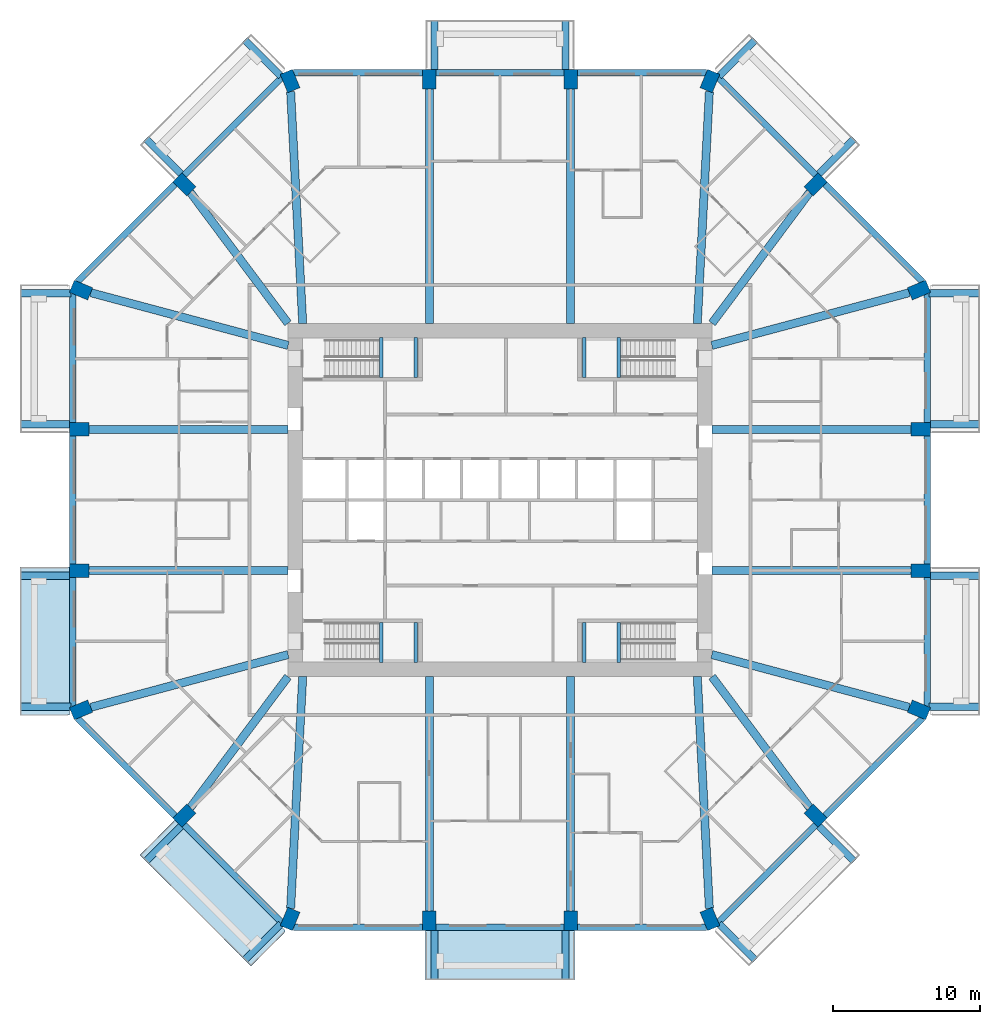
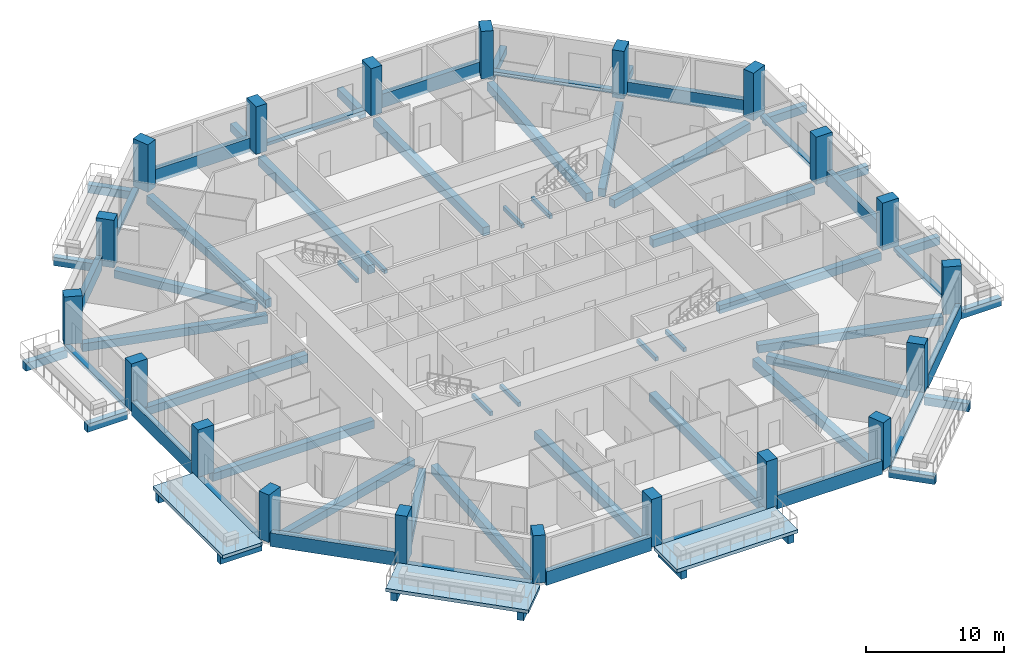
# One storey, part 1 of 13: 68 beams, 20 columns, 3 slabs.
"""IFC4 building model written with IfcOpenShell, lengths in metres."""

from ifc_helpers import new_model, si_unit, direction, frame, origin, origin_2d, place, context, subcontext, project, spatial, polyline, rectangle, outline, extrude, material, layer, layer_set, material_profile, profile_set, type_object, element, save


model = new_model("IFC4")

# Units and contexts
model_context = context("Model", 3, precision=1e-05, world=origin(), true_north=direction((0.0, 1.0)))
body_context = subcontext(model_context, "Body", "Model", "MODEL_VIEW")
ifc_project = project(units=[si_unit("LENGTHUNIT", "METRE"), si_unit("AREAUNIT", "SQUARE_METRE"), si_unit("VOLUMEUNIT", "CUBIC_METRE"), si_unit("PLANEANGLEUNIT", "RADIAN"), si_unit("MASSUNIT", "GRAM", prefix="KILO")], contexts=[model_context])

# Site, building, storey
site_placement = place(None, origin())
site = spatial("IfcSite", under=ifc_project, at=site_placement, CompositionType="ELEMENT")
building_placement = place(site_placement, origin())
building = spatial("IfcBuilding", under=site, at=building_placement, Name="Msitu Wima Residences", CompositionType="ELEMENT")
storey_placement = place(building_placement, frame((0.0, 0.0, 63.300048828125)))
storey = spatial("IfcBuildingStorey", under=building, at=storey_placement, Name="L14", CompositionType="ELEMENT", Elevation=63.300048828125)

# Columns
ifc_material_1 = material(Name="Concrete C80/95", Category="concrete")
ifc_material_profile_1 = material_profile(ifc_material_1, rectangle(XDim=0.89990234375, YDim=1.35009765625, at=origin_2d()), Name="RC 900x1350")
ifc_profile_set_1 = profile_set([ifc_material_profile_1], Name="Concrete C80/95")
column_type = type_object("IfcColumnType", Name="Column RC 900x1350 Concrete C80/95", PredefinedType="COLUMN", material=ifc_profile_set_1)
for number, where, z_axis, x_axis, name in (
    (1, (28.4541015625, -14.2568359375, 0.0), (0.0, 0.0, 1.0), (0.382683496864, 0.923879505795, 0.0), "Column L14 C-E0"),
    (2, (28.574951171875, -4.800048828125, 0.0), (0.0, 0.0, 1.0), (0.0, 1.0, 0.0), "Column L14 C-E1"),
    (3, (28.574951171875, 4.800048828125, 0.0), (0.0, 0.0, 1.0), (0.0, 1.0, 0.0), "Column L14 C-E2"),
    (4, (28.4541015625, 14.2568359375, 0.0), (0.0, 0.0, 1.0), (-0.382683496864, 0.923879505795, 0.0), "Column L14 C-NE0"),
    (5, (21.44091796875, 21.44091796875, 0.0), (0.0, 0.0, 1.0), (-0.707106781187, 0.707106781187, 0.0), "Column L14 C-NE1"),
    (6, (14.2568359375, 28.4541015625, 0.0), (0.0, 0.0, 1.0), (-0.923879505795, 0.382683496864, 0.0), "Column L14 C-N0"),
    (7, (4.800048828125, 28.574951171875, 0.0), (0.0, 0.0, 1.0), (-1.0, 0.0, 0.0), "Column L14 C-N1"),
    (8, (-4.800048828125, 28.574951171875, 0.0), (0.0, 0.0, 1.0), (-1.0, 0.0, 0.0), "Column L14 C-N2"),
    (9, (-14.2568359375, 28.4541015625, 0.0), (0.0, 0.0, 1.0), (-0.923879505795, -0.382683496864, 0.0), "Column L14 C-NW0"),
    (10, (-21.44091796875, 21.44091796875, 0.0), (0.0, 0.0, 1.0), (-0.707106781187, -0.707106781187, 0.0), "Column L14 C-NW1"),
    (11, (-28.4541015625, 14.2568359375, 0.0), (0.0, 0.0, 1.0), (-0.382683496864, -0.923879505795, 0.0), "Column L14 C-W0"),
    (12, (-28.574951171875, 4.800048828125, 0.0), (0.0, 0.0, 1.0), (0.0, -1.0, 0.0), "Column L14 C-W1"),
    (13, (-28.574951171875, -4.800048828125, 0.0), (0.0, 0.0, 1.0), (0.0, -1.0, 0.0), "Column L14 C-W2"),
    (14, (-28.4541015625, -14.2568359375, 0.0), (0.0, 0.0, 1.0), (0.382683496864, -0.923879505795, 0.0), "Column L14 C-SW0"),
    (15, (-21.44091796875, -21.44091796875, 0.0), (0.0, 0.0, 1.0), (0.707106781187, -0.707106781187, 0.0), "Column L14 C-SW1"),
    (16, (-14.2568359375, -28.4541015625, 0.0), (0.0, 0.0, 1.0), (0.923879505795, -0.382683496864, 0.0), "Column L14 C-S0"),
    (17, (-4.800048828125, -28.574951171875, 0.0), (0.0, 0.0, 1.0), (1.0, 0.0, 0.0), "Column L14 C-S1"),
    (18, (4.800048828125, -28.574951171875, 0.0), (0.0, 0.0, 1.0), (1.0, 0.0, 0.0), "Column L14 C-S2"),
    (19, (14.2568359375, -28.4541015625, 0.0), (0.0, 0.0, 1.0), (0.923879505795, 0.382683496864, 0.0), "Column L14 C-SE0"),
    (20, (21.44091796875, -21.44091796875, 0.0), (0.0, 0.0, 1.0), (0.707106781187, 0.707106781187, 0.0), "Column L14 C-SE1"),
):
    element("IfcColumn", number, at=place(storey_placement, frame(where, z_axis=z_axis, x_axis=x_axis)), inside=storey, type_object=column_type, Name=name, PredefinedType="COLUMN", context=body_context, shape_type="SweptSolid", body=[
        extrude(rectangle(XDim=0.89990234375, YDim=1.35009765625, at=origin_2d()), origin(), (0.0, 0.0, 1.0), 4.199951171875),
    ])

# Beams
ifc_material_2 = material(Name="Concrete C50/60", Category="concrete")
ifc_material_profile_2 = material_profile(ifc_material_2, rectangle(XDim=0.550048828125, YDim=0.699951171875, at=origin_2d()), Name="RC 550x700")
ifc_profile_set_2 = profile_set([ifc_material_profile_2], Name="Concrete C50/60")
beam_type_1 = type_object("IfcBeamType", Name="Beam RC 550x700 Concrete C50/60", PredefinedType="BEAM", material=ifc_profile_set_2)
beam_1_placement = place(storey_placement, frame((27.79638671875, -14.080810546875, -0.60009765625), z_axis=(-0.966081778408, 0.258236320891, 0.0), x_axis=(-0.258236320891, -0.966081778408, 0.0)))
element("IfcBeam", 21, at=beam_1_placement, inside=storey, type_object=beam_type_1, Name="Beam L14 C-E0", PredefinedType="BEAM", context=body_context, shape_type="SweptSolid", body=[
    extrude(rectangle(XDim=0.550048828125, YDim=0.699951171875, at=origin_2d()), origin(), (0.0, 0.0, 1.0), 13.878662109375),
])
for number, where, z_axis, x_axis, name in (
    (22, (27.89990234375, -4.800048828125, -0.60009765625), (-1.0, 0.0, 0.0), (0.0, -1.0, 0.0), "Beam L14 C-E1"),
    (23, (27.89990234375, 4.800048828125, -0.60009765625), (-1.0, 0.0, 0.0), (0.0, -1.0, 0.0), "Beam L14 C-E2"),
):
    element("IfcBeam", number, at=place(storey_placement, frame(where, z_axis=z_axis, x_axis=x_axis)), inside=storey, type_object=beam_type_1, Name=name, PredefinedType="BEAM", context=body_context, shape_type="SweptSolid", body=[
        extrude(rectangle(XDim=0.550048828125, YDim=0.699951171875, at=origin_2d()), origin(), (0.0, 0.0, 1.0), 13.5),
    ])
beam_2_placement = place(storey_placement, frame((27.79638671875, 14.080810546875, -0.60009765625), z_axis=(-0.966081778408, -0.258236320891, 0.0), x_axis=(0.258236320891, -0.966081778408, 0.0)))
element("IfcBeam", 24, at=beam_2_placement, inside=storey, type_object=beam_type_1, Name="Beam L14 C-NE0", PredefinedType="BEAM", context=body_context, shape_type="SweptSolid", body=[
    extrude(rectangle(XDim=0.550048828125, YDim=0.699951171875, at=origin_2d()), origin(), (0.0, 0.0, 1.0), 13.878662109375),
])
for number, where, z_axis, x_axis, name in (
    (25, (21.033203125, 20.89404296875, -0.60009765625), (-0.597850242031, -0.801607814398, 0.0), (0.801607814398, -0.597850242031, 0.0), "Beam L14 C-NE1"),
    (26, (-21.033203125, 20.89404296875, -0.60009765625), (0.597850242031, -0.801607814398, 0.0), (0.801607814398, 0.597850242031, 0.0), "Beam L14 C-NW1"),
):
    element("IfcBeam", number, at=place(storey_placement, frame(where, z_axis=z_axis, x_axis=x_axis)), inside=storey, type_object=beam_type_1, Name=name, PredefinedType="BEAM", context=body_context, shape_type="SweptSolid", body=[
        extrude(rectangle(XDim=0.550048828125, YDim=0.699951171875, at=origin_2d()), origin(), (0.0, 0.0, 1.0), 11.09521484375),
    ])
beam_3_placement = place(storey_placement, frame((-27.79638671875, 14.080810546875, -0.60009765625), z_axis=(0.966081778408, -0.258236320891, 0.0), x_axis=(0.258236320891, 0.966081778408, 0.0)))
element("IfcBeam", 27, at=beam_3_placement, inside=storey, type_object=beam_type_1, Name="Beam L14 C-W0", PredefinedType="BEAM", context=body_context, shape_type="SweptSolid", body=[
    extrude(rectangle(XDim=0.550048828125, YDim=0.699951171875, at=origin_2d()), origin(), (0.0, 0.0, 1.0), 13.878662109375),
])
for number, where, z_axis, x_axis, name in (
    (28, (-27.89990234375, 4.800048828125, -0.60009765625), (1.0, 0.0, 0.0), (0.0, 1.0, 0.0), "Beam L14 C-W1"),
    (29, (-27.89990234375, -4.800048828125, -0.60009765625), (1.0, 0.0, 0.0), (0.0, 1.0, 0.0), "Beam L14 C-W2"),
):
    element("IfcBeam", number, at=place(storey_placement, frame(where, z_axis=z_axis, x_axis=x_axis)), inside=storey, type_object=beam_type_1, Name=name, PredefinedType="BEAM", context=body_context, shape_type="SweptSolid", body=[
        extrude(rectangle(XDim=0.550048828125, YDim=0.699951171875, at=origin_2d()), origin(), (0.0, 0.0, 1.0), 13.5),
    ])
beam_4_placement = place(storey_placement, frame((-27.79638671875, -14.080810546875, -0.60009765625), z_axis=(0.966081778408, 0.258236320891, 0.0), x_axis=(-0.258236320891, 0.966081778408, 0.0)))
element("IfcBeam", 30, at=beam_4_placement, inside=storey, type_object=beam_type_1, Name="Beam L14 C-SW0", PredefinedType="BEAM", context=body_context, shape_type="SweptSolid", body=[
    extrude(rectangle(XDim=0.550048828125, YDim=0.699951171875, at=origin_2d()), origin(), (0.0, 0.0, 1.0), 13.878662109375),
])
for number, where, z_axis, x_axis, name in (
    (31, (-21.033203125, -20.89404296875, -0.60009765625), (0.597850242031, 0.801607814398, 0.0), (-0.801607814398, 0.597850242031, 0.0), "Beam L14 C-SW1"),
    (32, (21.033203125, -20.89404296875, -0.60009765625), (-0.597850242031, 0.801607814398, 0.0), (-0.801607814398, -0.597850242031, 0.0), "Beam L14 C-SE1"),
):
    element("IfcBeam", number, at=place(storey_placement, frame(where, z_axis=z_axis, x_axis=x_axis)), inside=storey, type_object=beam_type_1, Name=name, PredefinedType="BEAM", context=body_context, shape_type="SweptSolid", body=[
        extrude(rectangle(XDim=0.550048828125, YDim=0.699951171875, at=origin_2d()), origin(), (0.0, 0.0, 1.0), 11.09521484375),
    ])
ifc_material_profile_3 = material_profile(ifc_material_2, rectangle(XDim=0.550048828125, YDim=0.75, at=origin_2d()), Name="RC 550x750")
ifc_profile_set_3 = profile_set([ifc_material_profile_3], Name="Concrete C50/60")
beam_type_2 = type_object("IfcBeamType", Name="Beam RC 550x750 Concrete C50/60", PredefinedType="BEAM", material=ifc_profile_set_3)
beam_5_placement = place(storey_placement, frame((14.219482421875, 27.739013671875, -0.625), z_axis=(-0.05199418091, -0.998647387796, 0.0), x_axis=(0.998647387796, -0.05199418091, 0.0)))
element("IfcBeam", 33, at=beam_5_placement, inside=storey, type_object=beam_type_2, Name="Beam L14 C-N0", PredefinedType="BEAM", context=body_context, shape_type="SweptSolid", body=[
    extrude(rectangle(XDim=0.550048828125, YDim=0.75, at=origin_2d()), origin(), (0.0, 0.0, 1.0), 15.772216796875),
])
for number, where, z_axis, x_axis, name in (
    (34, (4.800048828125, 27.89990234375, -0.625), (0.0, -1.0, 0.0), (1.0, 0.0, 0.0), "Beam L14 C-N1"),
    (35, (-4.800048828125, 27.89990234375, -0.625), (0.0, -1.0, 0.0), (1.0, 0.0, 0.0), "Beam L14 C-N2"),
):
    element("IfcBeam", number, at=place(storey_placement, frame(where, z_axis=z_axis, x_axis=x_axis)), inside=storey, type_object=beam_type_2, Name=name, PredefinedType="BEAM", context=body_context, shape_type="SweptSolid", body=[
        extrude(rectangle(XDim=0.550048828125, YDim=0.75, at=origin_2d()), origin(), (0.0, 0.0, 1.0), 15.89990234375),
    ])
for number, where, z_axis, x_axis, name in (
    (36, (-14.219482421875, 27.739013671875, -0.625), (0.05199418091, -0.998647387796, 0.0), (0.998647387796, 0.05199418091, 0.0), "Beam L14 C-NW0"),
    (37, (-14.219482421875, -27.739013671875, -0.625), (0.05199418091, 0.998647387796, 0.0), (-0.998647387796, 0.05199418091, 0.0), "Beam L14 C-S0"),
):
    element("IfcBeam", number, at=place(storey_placement, frame(where, z_axis=z_axis, x_axis=x_axis)), inside=storey, type_object=beam_type_2, Name=name, PredefinedType="BEAM", context=body_context, shape_type="SweptSolid", body=[
        extrude(rectangle(XDim=0.550048828125, YDim=0.75, at=origin_2d()), origin(), (0.0, 0.0, 1.0), 15.772216796875),
    ])
for number, where, z_axis, x_axis, name in (
    (38, (-4.800048828125, -27.89990234375, -0.625), (0.0, 1.0, 0.0), (-1.0, 0.0, 0.0), "Beam L14 C-S1"),
    (39, (4.800048828125, -27.89990234375, -0.625), (0.0, 1.0, 0.0), (-1.0, 0.0, 0.0), "Beam L14 C-S2"),
):
    element("IfcBeam", number, at=place(storey_placement, frame(where, z_axis=z_axis, x_axis=x_axis)), inside=storey, type_object=beam_type_2, Name=name, PredefinedType="BEAM", context=body_context, shape_type="SweptSolid", body=[
        extrude(rectangle(XDim=0.550048828125, YDim=0.75, at=origin_2d()), origin(), (0.0, 0.0, 1.0), 15.89990234375),
    ])
beam_6_placement = place(storey_placement, frame((14.219482421875, -27.739013671875, -0.625), z_axis=(-0.05199418091, 0.998647387796, 0.0), x_axis=(-0.998647387796, -0.05199418091, 0.0)))
element("IfcBeam", 40, at=beam_6_placement, inside=storey, type_object=beam_type_2, Name="Beam L14 C-SE0", PredefinedType="BEAM", context=body_context, shape_type="SweptSolid", body=[
    extrude(rectangle(XDim=0.550048828125, YDim=0.75, at=origin_2d()), origin(), (0.0, 0.0, 1.0), 15.772216796875),
])
ifc_material_profile_4 = material_profile(ifc_material_2, rectangle(XDim=0.5, YDim=0.699951171875, at=origin_2d()), Name="RC 500x700")
ifc_profile_set_4 = profile_set([ifc_material_profile_4], Name="Concrete C50/60")
beam_type_3 = type_object("IfcBeamType", Name="Cantilever beam RC 500x700 Concrete C50/60", PredefinedType="BEAM", material=ifc_profile_set_4)
beam_7_placement = place(storey_placement, frame((29.130859375, -14.050048828125, -0.650146484375), z_axis=(1.0, 0.0, 0.0), x_axis=(0.0, 1.0, 0.0)))
element("IfcBeam", 41, at=beam_7_placement, inside=storey, type_object=beam_type_3, Name="Cantilever beam L14 BA-E0 A", PredefinedType="BEAM", context=body_context, shape_type="SweptSolid", body=[
    extrude(rectangle(XDim=0.5, YDim=0.699951171875, at=origin_2d()), origin(), (0.0, 0.0, 1.0), 3.46923828125),
])
for number, where, z_axis, x_axis, name in (
    (42, (29.25, -5.14990234375, -0.650146484375), (1.0, 0.0, 0.0), (0.0, 1.0, 0.0), "Cantilever beam L14 BA-E0 B"),
    (43, (29.25, 5.14990234375, -0.650146484375), (1.0, 0.0, 0.0), (0.0, 1.0, 0.0), "Cantilever beam L14 BA-E2 A"),
):
    element("IfcBeam", number, at=place(storey_placement, frame(where, z_axis=z_axis, x_axis=x_axis)), inside=storey, type_object=beam_type_3, Name=name, PredefinedType="BEAM", context=body_context, shape_type="SweptSolid", body=[
        extrude(rectangle(XDim=0.5, YDim=0.699951171875, at=origin_2d()), origin(), (0.0, 0.0, 1.0), 3.35009765625),
    ])
beam_8_placement = place(storey_placement, frame((29.130859375, 14.050048828125, -0.650146484375), z_axis=(1.0, 0.0, 0.0), x_axis=(0.0, 1.0, 0.0)))
element("IfcBeam", 44, at=beam_8_placement, inside=storey, type_object=beam_type_3, Name="Cantilever beam L14 BA-E2 B", PredefinedType="BEAM", context=body_context, shape_type="SweptSolid", body=[
    extrude(rectangle(XDim=0.5, YDim=0.699951171875, at=origin_2d()), origin(), (0.0, 0.0, 1.0), 3.46923828125),
])
beam_9_placement = place(storey_placement, frame((21.670654296875, 22.165771484375, -0.650146484375), z_axis=(0.707143219659, 0.707070340836, 0.0), x_axis=(-0.707070340836, 0.707143219659, 0.0)))
element("IfcBeam", 45, at=beam_9_placement, inside=storey, type_object=beam_type_3, Name="Cantilever beam L14 BA-NE1 A", PredefinedType="BEAM", context=body_context, shape_type="SweptSolid", body=[
    extrude(rectangle(XDim=0.5, YDim=0.699951171875, at=origin_2d()), origin(), (0.0, 0.0, 1.0), 3.349853515625),
])
beam_10_placement = place(storey_placement, frame((14.881591796875, 28.78662109375, -0.650146484375), z_axis=(0.707106781187, 0.707106781187, 0.0), x_axis=(-0.707106781187, 0.707106781187, 0.0)))
element("IfcBeam", 46, at=beam_10_placement, inside=storey, type_object=beam_type_3, Name="Cantilever beam L14 BA-NE1 B", PredefinedType="BEAM", context=body_context, shape_type="SweptSolid", body=[
    extrude(rectangle(XDim=0.5, YDim=0.699951171875, at=origin_2d()), origin(), (0.0, 0.0, 1.0), 3.468994140625),
])
for number, where, z_axis, x_axis, name in (
    (47, (4.449951171875, 29.25, -0.650146484375), (0.0, 1.0, 0.0), (-1.0, 0.0, 0.0), "Cantilever beam L14 BA-N1 A"),
    (48, (-4.449951171875, 29.25, -0.650146484375), (0.0, 1.0, 0.0), (-1.0, 0.0, 0.0), "Cantilever beam L14 BA-N1 B"),
):
    element("IfcBeam", number, at=place(storey_placement, frame(where, z_axis=z_axis, x_axis=x_axis)), inside=storey, type_object=beam_type_3, Name=name, PredefinedType="BEAM", context=body_context, shape_type="SweptSolid", body=[
        extrude(rectangle(XDim=0.5, YDim=0.699951171875, at=origin_2d()), origin(), (0.0, 0.0, 1.0), 3.35009765625),
    ])
beam_11_placement = place(storey_placement, frame((-14.881591796875, 28.78662109375, -0.650146484375), z_axis=(-0.707106781187, 0.707106781187, 0.0), x_axis=(-0.707106781187, -0.707106781187, 0.0)))
element("IfcBeam", 49, at=beam_11_placement, inside=storey, type_object=beam_type_3, Name="Cantilever beam L14 BA-NW0 A", PredefinedType="BEAM", context=body_context, shape_type="SweptSolid", body=[
    extrude(rectangle(XDim=0.5, YDim=0.699951171875, at=origin_2d()), origin(), (0.0, 0.0, 1.0), 3.468994140625),
])
beam_12_placement = place(storey_placement, frame((-21.670654296875, 22.165771484375, -0.650146484375), z_axis=(-0.707143219659, 0.707070340836, 0.0), x_axis=(-0.707070340836, -0.707143219659, 0.0)))
element("IfcBeam", 50, at=beam_12_placement, inside=storey, type_object=beam_type_3, Name="Cantilever beam L14 BA-NW0 B", PredefinedType="BEAM", context=body_context, shape_type="SweptSolid", body=[
    extrude(rectangle(XDim=0.5, YDim=0.699951171875, at=origin_2d()), origin(), (0.0, 0.0, 1.0), 3.349853515625),
])
beam_13_placement = place(storey_placement, frame((-29.130859375, 14.050048828125, -0.650146484375), z_axis=(-1.0, 0.0, 0.0), x_axis=(0.0, -1.0, 0.0)))
element("IfcBeam", 51, at=beam_13_placement, inside=storey, type_object=beam_type_3, Name="Cantilever beam L14 BA-W0 A", PredefinedType="BEAM", context=body_context, shape_type="SweptSolid", body=[
    extrude(rectangle(XDim=0.5, YDim=0.699951171875, at=origin_2d()), origin(), (0.0, 0.0, 1.0), 3.46923828125),
])
for number, where, z_axis, x_axis, name in (
    (52, (-29.25, 5.14990234375, -0.650146484375), (-1.0, 0.0, 0.0), (0.0, -1.0, 0.0), "Cantilever beam L14 BA-W0 B"),
    (53, (-29.25, -5.14990234375, -0.650146484375), (-1.0, 0.0, 0.0), (0.0, -1.0, 0.0), "Cantilever beam L14 BA-W2 A"),
):
    element("IfcBeam", number, at=place(storey_placement, frame(where, z_axis=z_axis, x_axis=x_axis)), inside=storey, type_object=beam_type_3, Name=name, PredefinedType="BEAM", context=body_context, shape_type="SweptSolid", body=[
        extrude(rectangle(XDim=0.5, YDim=0.699951171875, at=origin_2d()), origin(), (0.0, 0.0, 1.0), 3.35009765625),
    ])
beam_14_placement = place(storey_placement, frame((-29.130859375, -14.050048828125, -0.650146484375), z_axis=(-1.0, 0.0, 0.0), x_axis=(0.0, -1.0, 0.0)))
element("IfcBeam", 54, at=beam_14_placement, inside=storey, type_object=beam_type_3, Name="Cantilever beam L14 BA-W2 B", PredefinedType="BEAM", context=body_context, shape_type="SweptSolid", body=[
    extrude(rectangle(XDim=0.5, YDim=0.699951171875, at=origin_2d()), origin(), (0.0, 0.0, 1.0), 3.46923828125),
])
beam_15_placement = place(storey_placement, frame((-21.670654296875, -22.165771484375, -0.650146484375), z_axis=(-0.707143219659, -0.707070340836, 0.0), x_axis=(0.707070340836, -0.707143219659, 0.0)))
element("IfcBeam", 55, at=beam_15_placement, inside=storey, type_object=beam_type_3, Name="Cantilever beam L14 BA-SW1 A", PredefinedType="BEAM", context=body_context, shape_type="SweptSolid", body=[
    extrude(rectangle(XDim=0.5, YDim=0.699951171875, at=origin_2d()), origin(), (0.0, 0.0, 1.0), 3.349853515625),
])
beam_16_placement = place(storey_placement, frame((-14.881591796875, -28.78662109375, -0.650146484375), z_axis=(-0.707106781187, -0.707106781187, 0.0), x_axis=(0.707106781187, -0.707106781187, 0.0)))
element("IfcBeam", 56, at=beam_16_placement, inside=storey, type_object=beam_type_3, Name="Cantilever beam L14 BA-SW1 B", PredefinedType="BEAM", context=body_context, shape_type="SweptSolid", body=[
    extrude(rectangle(XDim=0.5, YDim=0.699951171875, at=origin_2d()), origin(), (0.0, 0.0, 1.0), 3.468994140625),
])
for number, where, z_axis, x_axis, name in (
    (57, (-4.449951171875, -29.25, -0.650146484375), (0.0, -1.0, 0.0), (1.0, 0.0, 0.0), "Cantilever beam L14 BA-S1 A"),
    (58, (4.449951171875, -29.25, -0.650146484375), (0.0, -1.0, 0.0), (1.0, 0.0, 0.0), "Cantilever beam L14 BA-S1 B"),
):
    element("IfcBeam", number, at=place(storey_placement, frame(where, z_axis=z_axis, x_axis=x_axis)), inside=storey, type_object=beam_type_3, Name=name, PredefinedType="BEAM", context=body_context, shape_type="SweptSolid", body=[
        extrude(rectangle(XDim=0.5, YDim=0.699951171875, at=origin_2d()), origin(), (0.0, 0.0, 1.0), 3.35009765625),
    ])
beam_17_placement = place(storey_placement, frame((14.881591796875, -28.78662109375, -0.650146484375), z_axis=(0.707106781187, -0.707106781187, 0.0), x_axis=(0.707106781187, 0.707106781187, 0.0)))
element("IfcBeam", 59, at=beam_17_placement, inside=storey, type_object=beam_type_3, Name="Cantilever beam L14 BA-SE0 A", PredefinedType="BEAM", context=body_context, shape_type="SweptSolid", body=[
    extrude(rectangle(XDim=0.5, YDim=0.699951171875, at=origin_2d()), origin(), (0.0, 0.0, 1.0), 3.468994140625),
])
beam_18_placement = place(storey_placement, frame((21.670654296875, -22.165771484375, -0.650146484375), z_axis=(0.707143219659, -0.707070340836, 0.0), x_axis=(0.707070340836, 0.707143219659, 0.0)))
element("IfcBeam", 60, at=beam_18_placement, inside=storey, type_object=beam_type_3, Name="Cantilever beam L14 BA-SE0 B", PredefinedType="BEAM", context=body_context, shape_type="SweptSolid", body=[
    extrude(rectangle(XDim=0.5, YDim=0.699951171875, at=origin_2d()), origin(), (0.0, 0.0, 1.0), 3.349853515625),
])
ifc_material_profile_5 = material_profile(ifc_material_2, rectangle(XDim=0.449951171875, YDim=0.300048828125, at=origin_2d()), Name="RC 450x300")
ifc_profile_set_5 = profile_set([ifc_material_profile_5], Name="Concrete C50/60")
beam_type_4 = type_object("IfcBeamType", Name="Edge beam RC 450x300 Concrete C50/60", PredefinedType="SPANDREL", material=ifc_profile_set_5)
for number, where, z_axis, x_axis, name in (
    (61, (29.02490234375, -14.01806640625, -0.150146484375), (0.0, 1.0, 0.0), (-1.0, 0.0, 0.0), "Spandrel L14 E0"),
    (62, (29.02490234375, 5.25, -0.150146484375), (0.0, 1.0, 0.0), (-1.0, 0.0, 0.0), "Spandrel L14 E2"),
):
    element("IfcBeam", number, at=place(storey_placement, frame(where, z_axis=z_axis, x_axis=x_axis)), inside=storey, type_object=beam_type_4, Name=name, PredefinedType="SPANDREL", context=body_context, shape_type="SweptSolid", body=[
        extrude(rectangle(XDim=0.449951171875, YDim=0.300048828125, at=origin_2d()), origin(), (0.0, 0.0, 1.0), 8.76806640625),
    ])
beam_19_placement = place(storey_placement, frame((21.44091796875, 22.077392578125, -0.150146484375), z_axis=(-0.707119836229, 0.707093725903, 0.0), x_axis=(-0.707093725903, -0.707119836229, 0.0)))
element("IfcBeam", 63, at=beam_19_placement, inside=storey, type_object=beam_type_4, Name="Spandrel L14 NE1", PredefinedType="SPANDREL", context=body_context, shape_type="SweptSolid", body=[
    extrude(rectangle(XDim=0.449951171875, YDim=0.300048828125, at=origin_2d()), origin(), (0.0, 0.0, 1.0), 9.350341796875),
])
beam_20_placement = place(storey_placement, frame((4.35009765625, 29.02490234375, -0.150146484375), z_axis=(-1.0, 0.0, 0.0), x_axis=(0.0, -1.0, 0.0)))
element("IfcBeam", 64, at=beam_20_placement, inside=storey, type_object=beam_type_4, Name="Spandrel L14 N1", PredefinedType="SPANDREL", context=body_context, shape_type="SweptSolid", body=[
    extrude(rectangle(XDim=0.449951171875, YDim=0.300048828125, at=origin_2d()), origin(), (0.0, 0.0, 1.0), 8.7001953125),
])
beam_21_placement = place(storey_placement, frame((-14.8291015625, 28.68896484375, -0.150146484375), z_axis=(-0.707119836229, -0.707093725903, 0.0), x_axis=(0.707093725903, -0.707119836229, 0.0)))
element("IfcBeam", 65, at=beam_21_placement, inside=storey, type_object=beam_type_4, Name="Spandrel L14 NW0", PredefinedType="SPANDREL", context=body_context, shape_type="SweptSolid", body=[
    extrude(rectangle(XDim=0.449951171875, YDim=0.300048828125, at=origin_2d()), origin(), (0.0, 0.0, 1.0), 9.350341796875),
])
for number, where, z_axis, x_axis, name in (
    (66, (-29.02490234375, 14.01806640625, -0.150146484375), (0.0, -1.0, 0.0), (1.0, 0.0, 0.0), "Spandrel L14 W0"),
    (67, (-29.02490234375, -5.25, -0.150146484375), (0.0, -1.0, 0.0), (1.0, 0.0, 0.0), "Spandrel L14 W2"),
):
    element("IfcBeam", number, at=place(storey_placement, frame(where, z_axis=z_axis, x_axis=x_axis)), inside=storey, type_object=beam_type_4, Name=name, PredefinedType="SPANDREL", context=body_context, shape_type="SweptSolid", body=[
        extrude(rectangle(XDim=0.449951171875, YDim=0.300048828125, at=origin_2d()), origin(), (0.0, 0.0, 1.0), 8.76806640625),
    ])
beam_22_placement = place(storey_placement, frame((-21.44091796875, -22.077392578125, -0.150146484375), z_axis=(0.707119836229, -0.707093725903, 0.0), x_axis=(0.707093725903, 0.707119836229, 0.0)))
element("IfcBeam", 68, at=beam_22_placement, inside=storey, type_object=beam_type_4, Name="Spandrel L14 SW1", PredefinedType="SPANDREL", context=body_context, shape_type="SweptSolid", body=[
    extrude(rectangle(XDim=0.449951171875, YDim=0.300048828125, at=origin_2d()), origin(), (0.0, 0.0, 1.0), 9.350341796875),
])
beam_23_placement = place(storey_placement, frame((-4.35009765625, -29.02490234375, -0.150146484375), z_axis=(1.0, 0.0, 0.0), x_axis=(0.0, 1.0, 0.0)))
element("IfcBeam", 69, at=beam_23_placement, inside=storey, type_object=beam_type_4, Name="Spandrel L14 S1", PredefinedType="SPANDREL", context=body_context, shape_type="SweptSolid", body=[
    extrude(rectangle(XDim=0.449951171875, YDim=0.300048828125, at=origin_2d()), origin(), (0.0, 0.0, 1.0), 8.7001953125),
])
beam_24_placement = place(storey_placement, frame((14.8291015625, -28.68896484375, -0.150146484375), z_axis=(0.707119836229, 0.707093725903, 0.0), x_axis=(-0.707093725903, 0.707119836229, 0.0)))
element("IfcBeam", 70, at=beam_24_placement, inside=storey, type_object=beam_type_4, Name="Spandrel L14 SE0", PredefinedType="SPANDREL", context=body_context, shape_type="SweptSolid", body=[
    extrude(rectangle(XDim=0.449951171875, YDim=0.300048828125, at=origin_2d()), origin(), (0.0, 0.0, 1.0), 9.350341796875),
])
ifc_material_3 = material(Name="Concrete C40/50", Category="concrete")
ifc_material_profile_6 = material_profile(ifc_material_3, rectangle(XDim=0.25, YDim=0.35009765625, at=origin_2d()), Name="RC 250x350")
ifc_profile_set_6 = profile_set([ifc_material_profile_6], Name="Concrete C40/50")
beam_type_5 = type_object("IfcBeamType", Name="Landing beam RC 250x350", PredefinedType="BEAM", material=ifc_profile_set_6)
for number, where, z_axis, x_axis, name in (
    (71, (-8.074951171875, 8.324951171875, 1.724853515625), (0.0, 1.0, 0.0), (-1.0, 0.0, 0.0), "Stair 1 landing beam"),
    (72, (-5.72509765625, 8.324951171875, 1.724853515625), (0.0, 1.0, 0.0), (-1.0, 0.0, 0.0), "Stair 1 landing beam"),
    (73, (-8.074951171875, -11.02490234375, 1.724853515625), (0.0, 1.0, 0.0), (-1.0, 0.0, 0.0), "Stair 2 landing beam"),
    (74, (-5.72509765625, -11.02490234375, 1.724853515625), (0.0, 1.0, 0.0), (-1.0, 0.0, 0.0), "Stair 2 landing beam"),
    (75, (8.074951171875, 8.324951171875, 1.724853515625), (0.0, 1.0, 0.0), (-1.0, 0.0, 0.0), "Stair 3 landing beam"),
    (76, (5.72509765625, 8.324951171875, 1.724853515625), (0.0, 1.0, 0.0), (-1.0, 0.0, 0.0), "Stair 3 landing beam"),
    (77, (8.074951171875, -11.02490234375, 1.724853515625), (0.0, 1.0, 0.0), (-1.0, 0.0, 0.0), "Stair 4 landing beam"),
    (78, (5.72509765625, -11.02490234375, 1.724853515625), (0.0, 1.0, 0.0), (-1.0, 0.0, 0.0), "Stair 4 landing beam"),
):
    element("IfcBeam", number, at=place(storey_placement, frame(where, z_axis=z_axis, x_axis=x_axis)), inside=storey, type_object=beam_type_5, Name=name, PredefinedType="BEAM", context=body_context, shape_type="SweptSolid", body=[
        extrude(rectangle(XDim=0.25, YDim=0.35009765625, at=origin_2d()), origin(), (0.0, 0.0, 1.0), 2.699951171875),
    ])
ifc_material_profile_7 = material_profile(ifc_material_2, rectangle(XDim=0.449951171875, YDim=1.199951171875, at=origin_2d()), Name="RC 450x1200")
ifc_profile_set_7 = profile_set([ifc_material_profile_7], Name="Concrete C50/60")
beam_type_6 = type_object("IfcBeamType", Name="Spandrel RC 450x1200 Concrete C50/60", PredefinedType="SPANDREL", material=ifc_profile_set_7)
beam_25_placement = place(storey_placement, frame((29.02490234375, -4.35009765625, 0.300048828125), z_axis=(0.0, 1.0, 0.0), x_axis=(-1.0, 0.0, 0.0)))
element("IfcBeam", 79, at=beam_25_placement, inside=storey, type_object=beam_type_6, Name="Spandrel L14 E1", PredefinedType="SPANDREL", context=body_context, shape_type="SweptSolid", body=[
    extrude(rectangle(XDim=0.449951171875, YDim=1.199951171875, at=origin_2d()), origin(), (0.0, 0.0, 1.0), 8.7001953125),
])
beam_26_placement = place(storey_placement, frame((28.68896484375, 14.8291015625, 0.300048828125), z_axis=(-0.707093725903, 0.707119836229, 0.0), x_axis=(-0.707119836229, -0.707093725903, 0.0)))
element("IfcBeam", 80, at=beam_26_placement, inside=storey, type_object=beam_type_6, Name="Spandrel L14 NE0", PredefinedType="SPANDREL", context=body_context, shape_type="SweptSolid", body=[
    extrude(rectangle(XDim=0.449951171875, YDim=1.199951171875, at=origin_2d()), origin(), (0.0, 0.0, 1.0), 9.350341796875),
])
for number, where, z_axis, x_axis, name in (
    (81, (14.01806640625, 29.02490234375, 0.300048828125), (-1.0, 0.0, 0.0), (0.0, -1.0, 0.0), "Spandrel L14 N0"),
    (82, (-5.25, 29.02490234375, 0.300048828125), (-1.0, 0.0, 0.0), (0.0, -1.0, 0.0), "Spandrel L14 N2"),
):
    element("IfcBeam", number, at=place(storey_placement, frame(where, z_axis=z_axis, x_axis=x_axis)), inside=storey, type_object=beam_type_6, Name=name, PredefinedType="SPANDREL", context=body_context, shape_type="SweptSolid", body=[
        extrude(rectangle(XDim=0.449951171875, YDim=1.199951171875, at=origin_2d()), origin(), (0.0, 0.0, 1.0), 8.76806640625),
    ])
beam_27_placement = place(storey_placement, frame((-22.077392578125, 21.44091796875, 0.300048828125), z_axis=(-0.707093725903, -0.707119836229, 0.0), x_axis=(0.707119836229, -0.707093725903, 0.0)))
element("IfcBeam", 83, at=beam_27_placement, inside=storey, type_object=beam_type_6, Name="Spandrel L14 NW1", PredefinedType="SPANDREL", context=body_context, shape_type="SweptSolid", body=[
    extrude(rectangle(XDim=0.449951171875, YDim=1.199951171875, at=origin_2d()), origin(), (0.0, 0.0, 1.0), 9.350341796875),
])
beam_28_placement = place(storey_placement, frame((-29.02490234375, 4.35009765625, 0.300048828125), z_axis=(0.0, -1.0, 0.0), x_axis=(1.0, 0.0, 0.0)))
element("IfcBeam", 84, at=beam_28_placement, inside=storey, type_object=beam_type_6, Name="Spandrel L14 W1", PredefinedType="SPANDREL", context=body_context, shape_type="SweptSolid", body=[
    extrude(rectangle(XDim=0.449951171875, YDim=1.199951171875, at=origin_2d()), origin(), (0.0, 0.0, 1.0), 8.7001953125),
])
beam_29_placement = place(storey_placement, frame((-28.68896484375, -14.8291015625, 0.300048828125), z_axis=(0.707093725903, -0.707119836229, 0.0), x_axis=(0.707119836229, 0.707093725903, 0.0)))
element("IfcBeam", 85, at=beam_29_placement, inside=storey, type_object=beam_type_6, Name="Spandrel L14 SW0", PredefinedType="SPANDREL", context=body_context, shape_type="SweptSolid", body=[
    extrude(rectangle(XDim=0.449951171875, YDim=1.199951171875, at=origin_2d()), origin(), (0.0, 0.0, 1.0), 9.350341796875),
])
for number, where, z_axis, x_axis, name in (
    (86, (-14.01806640625, -29.02490234375, 0.300048828125), (1.0, 0.0, 0.0), (0.0, 1.0, 0.0), "Spandrel L14 S0"),
    (87, (5.25, -29.02490234375, 0.300048828125), (1.0, 0.0, 0.0), (0.0, 1.0, 0.0), "Spandrel L14 S2"),
):
    element("IfcBeam", number, at=place(storey_placement, frame(where, z_axis=z_axis, x_axis=x_axis)), inside=storey, type_object=beam_type_6, Name=name, PredefinedType="SPANDREL", context=body_context, shape_type="SweptSolid", body=[
        extrude(rectangle(XDim=0.449951171875, YDim=1.199951171875, at=origin_2d()), origin(), (0.0, 0.0, 1.0), 8.76806640625),
    ])
beam_30_placement = place(storey_placement, frame((22.077392578125, -21.44091796875, 0.300048828125), z_axis=(0.707093725903, 0.707119836229, 0.0), x_axis=(-0.707119836229, 0.707093725903, 0.0)))
element("IfcBeam", 88, at=beam_30_placement, inside=storey, type_object=beam_type_6, Name="Spandrel L14 SE1", PredefinedType="SPANDREL", context=body_context, shape_type="SweptSolid", body=[
    extrude(rectangle(XDim=0.449951171875, YDim=1.199951171875, at=origin_2d()), origin(), (0.0, 0.0, 1.0), 9.350341796875),
])

# Slabs
ifc_layer = layer(ifc_material_3, 0.300048828125)
ifc_layer_set = layer_set([ifc_layer], Name="Concrete C40/50")
slab_type = type_object("IfcSlabType", Name="Balcony slab BS300", PredefinedType="FLOOR", material=ifc_layer_set)
slab_1_placement = place(storey_placement, frame((0.0, 0.0, -0.300048828125)))
element("IfcSlab", 89, at=slab_1_placement, inside=storey, type_object=slab_type, Name="Balcony W2 L14", PredefinedType="FLOOR", context=body_context, shape_type="SweptSolid", body=[
    extrude(outline(polyline([(-29.25, -14.099365234375), (-29.25, -14.099365234375), (-29.25, -14.099365234375), (-29.25, -14.58642578125), (-29.403564453125, -14.64990234375), (-32.60009765625, -14.64990234375), (-32.60009765625, -4.550048828125), (-29.25, -4.550048828125), (-29.25, -5.25), (-29.25, -14.099365234375)])), origin(), (0.0, 0.0, 1.0), 0.300048828125),
])
slab_2_placement = place(storey_placement, frame((0.0, 0.0, -0.300048828125)))
element("IfcSlab", 90, at=slab_2_placement, inside=storey, type_object=slab_type, Name="Balcony SW1 L14", PredefinedType="FLOOR", context=body_context, shape_type="SweptSolid", body=[
    extrude(outline(polyline([(-16.91015625, -31.663818359375), (-24.4638671875, -24.1103515625), (-22.094970703125, -21.741455078125), (-14.58642578125, -29.25), (-14.64990234375, -29.403564453125), (-16.91015625, -31.663818359375)])), origin(), (0.0, 0.0, 1.0), 0.300048828125),
])
slab_3_placement = place(storey_placement, frame((0.0, 0.0, -0.300048828125)))
element("IfcSlab", 91, at=slab_3_placement, inside=storey, type_object=slab_type, Name="Balcony S1 L14", PredefinedType="FLOOR", context=body_context, shape_type="SweptSolid", body=[
    extrude(outline(polyline([(-4.35009765625, -29.25), (4.35009765625, -29.25), (5.050048828125, -29.25), (5.050048828125, -32.60009765625), (-5.050048828125, -32.60009765625), (-5.050048828125, -29.25), (-4.35009765625, -29.25)])), origin(), (0.0, 0.0, 1.0), 0.300048828125),
])

save(model, "model.ifc")
